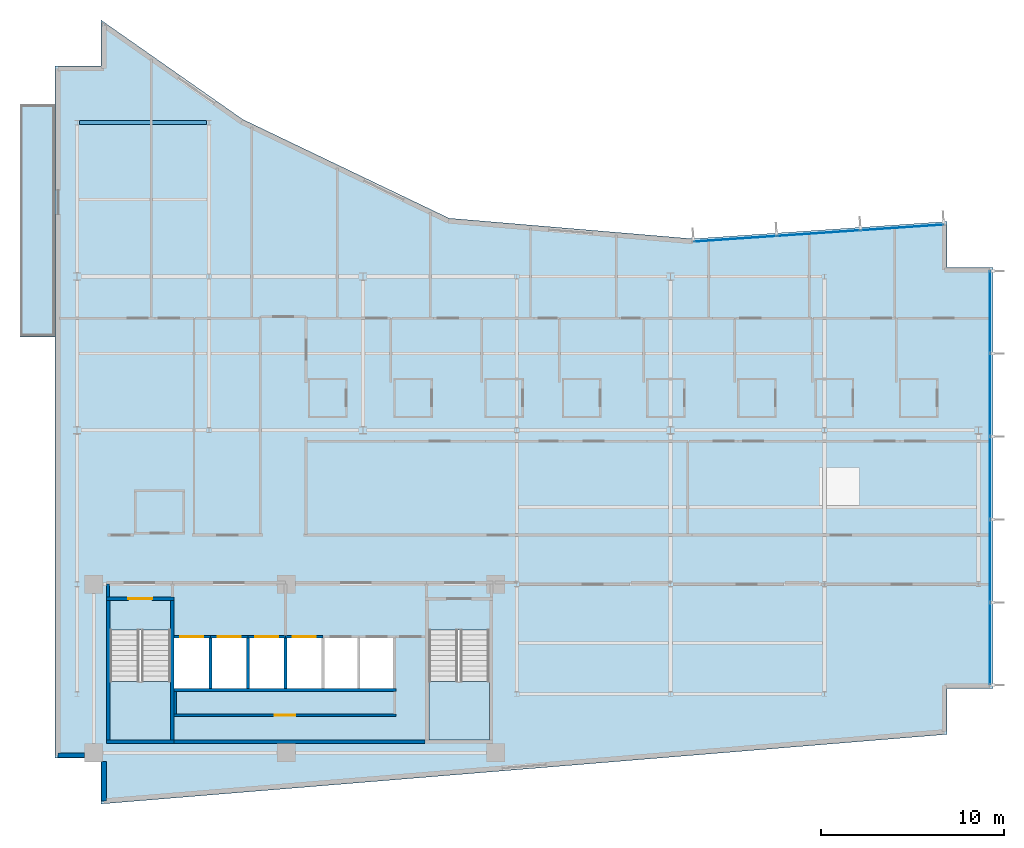
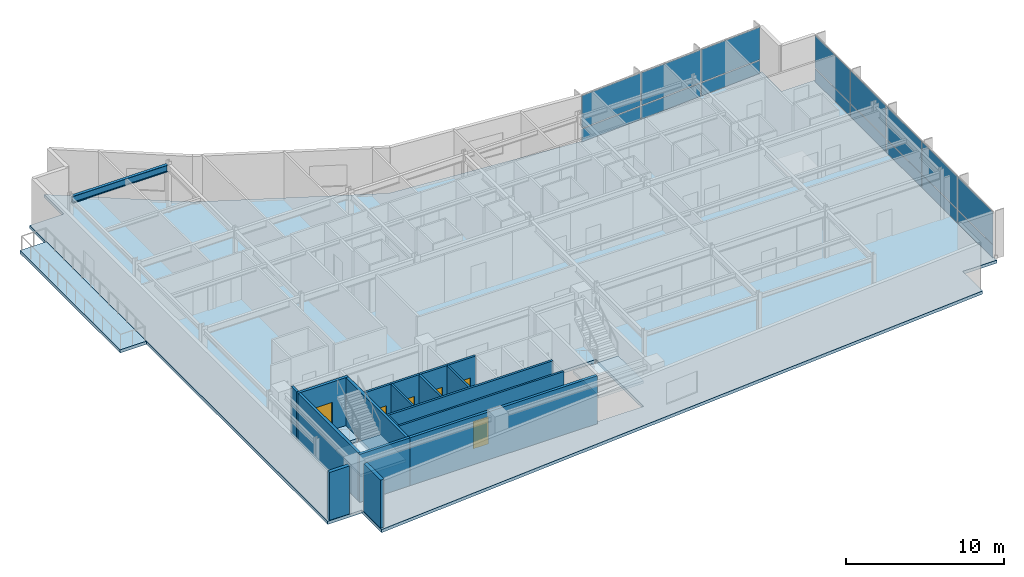
# One storey, part 9 of 16: 18 walls, 16 plates, 6 doors, 4 slabs, 1 beam, 6 openings, 4 elements without a shape of their own.
"""IFC4 building model written with IfcOpenShell, lengths in metres."""

import ifcopenshell
import ifcopenshell.guid

model = None  # the IFC model being written
_history = None  # IfcOwnerHistory: only IFC2X3 demands one
_inside = {}  # id of a spatial element -> (the spatial element, [elements in it])
_under = {}  # id of a project, library or spatial element -> (it, [spatial elements below it])
_declared = {}  # id of a project -> (the project, [libraries it declares])
_typed = {}  # id of a type object -> (the type object, [elements of that type])
_made_of = {}  # id of a material, layer set ... -> (it, [elements and type objects made of it])


def new_model(schema):
    """Start an empty IFC model of exactly this schema.

    Asked for "IFC4X3", IfcOpenShell would pick the latest addendum, in which some entities
    have other attributes; the version numbers below select the first issue.
    IFC2X3 requires an IfcOwnerHistory on every rooted entity: one is made here for all.
    """
    global model, _history
    if schema == "IFC4X3":
        model = ifcopenshell.file(schema_version=(4, 3, 0, 0))
    else:
        model = ifcopenshell.file(schema=schema)
    _inside.clear()
    _under.clear()
    _declared.clear()
    _typed.clear()
    _made_of.clear()
    _history = None
    if model.schema == "IFC2X3":
        org = make("IfcOrganization", Name="unknown")
        user = make(
            "IfcPersonAndOrganization",
            ThePerson=make("IfcPerson", FamilyName="unknown"),
            TheOrganization=org,
        )
        app = make(
            "IfcApplication",
            ApplicationDeveloper=org,
            Version="unknown",
            ApplicationFullName="unknown",
            ApplicationIdentifier="unknown",
        )
        _history = make(
            "IfcOwnerHistory",
            OwningUser=user,
            OwningApplication=app,
            ChangeAction="ADDED",
            CreationDate=0,
        )
    return model


def make(cls, **values):
    """One entity of the class cls with the attributes given. An attribute that is None is left unset."""
    return model.create_entity(
        cls, **{name: value for name, value in values.items() if value is not None}
    )


def rooted(cls, **values):
    """An entity with a GlobalId (a new one), such as an element, a storey or a relation."""
    return make(cls, GlobalId=ifcopenshell.guid.new(), OwnerHistory=_history, **values)


def si_unit(unit_type, name, prefix=None):
    """IfcSIUnit, for example si_unit("LENGTHUNIT", "METRE", prefix="MILLI")."""
    return make("IfcSIUnit", UnitType=unit_type, Prefix=prefix, Name=name)


def assignment(units):
    """IfcUnitAssignment: the units of a project."""
    return None if units is None else make("IfcUnitAssignment", Units=units)


def point(xyz):
    """IfcCartesianPoint."""
    return None if xyz is None else make("IfcCartesianPoint", Coordinates=xyz)


def direction(xyz):
    """IfcDirection."""
    return None if xyz is None else make("IfcDirection", DirectionRatios=xyz)


def frame(location, z_axis=None, x_axis=None):
    """IfcAxis2Placement3D, a coordinate frame: its origin and axes. An axis left out is left unset."""
    return make(
        "IfcAxis2Placement3D",
        Location=point(location),
        Axis=direction(z_axis),
        RefDirection=direction(x_axis),
    )


def frame_2d(location, x_axis=None):
    """IfcAxis2Placement2D, a coordinate frame in the plane: its origin and x axis."""
    return make(
        "IfcAxis2Placement2D", Location=point(location), RefDirection=direction(x_axis)
    )


def origin():
    """The frame at (0, 0, 0) with its axes left unset."""
    return frame((0.0, 0.0, 0.0))


def origin_2d():
    """The frame at (0, 0) in the plane with its x axis left unset."""
    return frame_2d((0.0, 0.0))


def place(relative_to, where):
    """IfcLocalPlacement: puts the frame where relative to a parent placement (None: the world)."""
    return make(
        "IfcLocalPlacement", PlacementRelTo=relative_to, RelativePlacement=where
    )


def context(
    kind, dimensions, precision=None, world=None, true_north=None, identifier=None
):
    """IfcGeometricRepresentationContext, for example the 3D "Model" context."""
    return make(
        "IfcGeometricRepresentationContext",
        ContextIdentifier=identifier,
        ContextType=kind,
        CoordinateSpaceDimension=dimensions,
        Precision=precision,
        WorldCoordinateSystem=world,
        TrueNorth=true_north,
    )


def subcontext(parent, identifier, kind, view, scale=None):
    """IfcGeometricRepresentationSubContext, for example "Body" below "Model"."""
    return make(
        "IfcGeometricRepresentationSubContext",
        ContextIdentifier=identifier,
        ContextType=kind,
        ParentContext=parent,
        TargetScale=scale,
        TargetView=view,
    )


def project(units=None, contexts=None):
    """IfcProject with its units and contexts."""
    return rooted(
        "IfcProject",
        Name="project",
        RepresentationContexts=contexts,
        UnitsInContext=assignment(units),
    )


def spatial(cls, under=None, at=None, **own):
    """A site, building, storey or space (cls), placed at a placement, below another one or the project."""
    s = rooted(cls, ObjectPlacement=at, **own)
    if under is not None:
        _under.setdefault(under.id(), (under, []))[1].append(s)
    return s


def polyline(points):
    """IfcPolyline through the points."""
    return make("IfcPolyline", Points=[point(p) for p in points])


def profile(cls, at=None, kind="AREA", **sizes):
    """A parametric profile (cls). Its sizes go by their IFC names, for example OverallWidth=200.0."""
    return make(cls, ProfileType=kind, Position=at, **sizes)


def rectangle(**sizes):
    """IfcRectangleProfileDef."""
    return profile("IfcRectangleProfileDef", **sizes)


def i_section(**sizes):
    """IfcIShapeProfileDef."""
    return profile("IfcIShapeProfileDef", **sizes)


def outline(outer, holes=None, kind="AREA"):
    """IfcArbitraryClosedProfileDef: a profile drawn as a closed curve; with holes, ...WithVoids."""
    if holes is None:
        return make("IfcArbitraryClosedProfileDef", ProfileType=kind, OuterCurve=outer)
    return make(
        "IfcArbitraryProfileDefWithVoids",
        ProfileType=kind,
        OuterCurve=outer,
        InnerCurves=holes,
    )


def extrude(swept, where, along, depth):
    """IfcExtrudedAreaSolid: the profile swept, set in the frame where, extruded along a direction by depth."""
    return make(
        "IfcExtrudedAreaSolid",
        SweptArea=swept,
        Position=where,
        ExtrudedDirection=direction(along),
        Depth=depth,
    )


def shape(context_of_items, identifier, shape_type, items):
    """IfcShapeRepresentation: the items that make up one representation, for example the "Body"."""
    return make(
        "IfcShapeRepresentation",
        ContextOfItems=context_of_items,
        RepresentationIdentifier=identifier,
        RepresentationType=shape_type,
        Items=items,
    )


def material(Name=None, Category=None):
    """IfcMaterial."""
    return make("IfcMaterial", Name=Name, Category=Category)


def layer(
    of_material, thickness, ventilated=None, Name=None, Category=None, Priority=None
):
    """IfcMaterialLayer: one layer of a wall or slab, of a material (None: an air gap)."""
    return make(
        "IfcMaterialLayer",
        Material=of_material,
        LayerThickness=thickness,
        IsVentilated=ventilated,
        Name=Name,
        Category=Category,
        Priority=Priority,
    )


def layer_set(layers, Name=None):
    """IfcMaterialLayerSet."""
    return make("IfcMaterialLayerSet", MaterialLayers=layers, LayerSetName=Name)


def material_profile(
    of_material, cross_section, Name=None, Category=None, Priority=None
):
    """IfcMaterialProfile: a cross section and its material."""
    return make(
        "IfcMaterialProfile",
        Name=Name,
        Material=of_material,
        Profile=cross_section,
        Priority=Priority,
        Category=Category,
    )


def profile_set(profiles, Name=None, composite=None):
    """IfcMaterialProfileSet."""
    return make(
        "IfcMaterialProfileSet",
        Name=Name,
        MaterialProfiles=profiles,
        CompositeProfile=composite,
    )


def made_of(thing, what):
    """Note that an element or type object is made of a material, layer set ...; save() writes the relation."""
    if what is not None:
        _made_of.setdefault(what.id(), (what, []))[1].append(thing)
    return thing


def type_object(cls, material=None, **own):
    """A type object (cls), such as IfcWallType, which elements share."""
    return made_of(rooted(cls, **own), material)


def element(
    cls,
    number,
    at=None,
    inside=None,
    cuts=None,
    type_object=None,
    material=None,
    context=None,
    identifier="Body",
    shape_type=None,
    held_by="IfcProductDefinitionShape",
    body=None,
    shapes=None,
    **own,
):
    """One element of the class cls, such as IfcWall. Its Tag is "e" and its number.

    at: its placement. inside: the storey or other place that contains it. cuts: it is an
    opening in that element (IfcRelVoidsElement). A single representation is given by context,
    identifier, shape_type and body (its items); several are given by shapes. held_by: the class
    of the entity that holds the representations. save() writes the other relations.
    """
    e = rooted(cls, Tag="e%d" % number, ObjectPlacement=at, **own)
    if body is not None:
        shapes = [shape(context, identifier, shape_type, body)]
    if shapes is not None:
        e.Representation = make(held_by, Representations=shapes)
    if inside is not None:
        _inside.setdefault(inside.id(), (inside, []))[1].append(e)
    if cuts is not None:
        rooted(
            "IfcRelVoidsElement", RelatingBuildingElement=cuts, RelatedOpeningElement=e
        )
    if type_object is not None:
        _typed.setdefault(type_object.id(), (type_object, []))[1].append(e)
    return made_of(e, material)


def fill(opening, filler):
    """IfcRelFillsElement: the door or window that sits in an opening."""
    return rooted(
        "IfcRelFillsElement",
        RelatingOpeningElement=opening,
        RelatedBuildingElement=filler,
    )


def aggregate(whole, parts):
    """IfcRelAggregates: a whole, such as a stair, and the parts it consists of."""
    return rooted("IfcRelAggregates", RelatingObject=whole, RelatedObjects=parts)


def save(model, path):
    """Write the relations noted so far, then the file.

    IfcRelAggregates (storeys below a building ...), IfcRelContainedInSpatialStructure (elements
    in a storey), IfcRelDefinesByType, IfcRelAssociatesMaterial and IfcRelDeclares: one each for
    every whole, place, type object, material and project.
    """
    for whole, parts in _under.values():
        aggregate(whole, parts)
    for where, things in _inside.values():
        rooted(
            "IfcRelContainedInSpatialStructure",
            RelatedElements=things,
            RelatingStructure=where,
        )
    for kind, things in _typed.values():
        rooted("IfcRelDefinesByType", RelatedObjects=things, RelatingType=kind)
    for what, things in _made_of.values():
        rooted("IfcRelAssociatesMaterial", RelatedObjects=things, RelatingMaterial=what)
    for by, libraries in _declared.values():
        rooted("IfcRelDeclares", RelatingContext=by, RelatedDefinitions=libraries)
    model.write(path)


model = new_model("IFC4")

# Units and contexts
model_context = context("Model", 3, precision=1e-05, world=origin(), true_north=direction((0.0, 1.0)))
body_context = subcontext(model_context, "Body", "Model", "MODEL_VIEW")
ifc_project = project(units=[si_unit("LENGTHUNIT", "METRE"), si_unit("AREAUNIT", "SQUARE_METRE"), si_unit("VOLUMEUNIT", "CUBIC_METRE"), si_unit("PLANEANGLEUNIT", "RADIAN"), si_unit("MASSUNIT", "GRAM", prefix="KILO")], contexts=[model_context])

# Site, building, storey
site_placement = place(None, origin())
site = spatial("IfcSite", under=ifc_project, at=site_placement, CompositionType="ELEMENT")
building_placement = place(site_placement, origin())
building = spatial("IfcBuilding", under=site, at=building_placement, Name="Varnakote Quay Hospital", CompositionType="ELEMENT")
storey_placement = place(building_placement, frame((0.0, 0.0, 223.699951171875)))
storey = spatial("IfcBuildingStorey", under=building, at=storey_placement, Name="L55", CompositionType="ELEMENT", Elevation=223.699951171875)

# Beam
ifc_material_1 = material(Name="Structural steel AS/NZS 3679.1 Grade 350 L0 (fy 340 MPa)", Category="steel")
ifc_material_profile = material_profile(ifc_material_1, i_section(OverallWidth=0.208984375, OverallDepth=0.532958984375, WebThickness=0.01025390625, FlangeThickness=0.015625, FilletRadius=0.013916015625, at=origin_2d()), Name="530UB92.4")
ifc_profile_set = profile_set([ifc_material_profile], Name="Structural steel AS/NZS 3679.1 Grade 350 L0 (fy 340 MPa)")
beam_type = type_object("IfcBeamType", Name="BM-STL-530UB92-4", PredefinedType="BEAM", material=ifc_profile_set)
beam_placement = place(storey_placement, frame((1.327880859375, 37.199951171875, 3.443603515625), z_axis=(1.0, 0.0, 0.0), x_axis=(0.0, 1.0, 0.0)))
element("IfcBeam", 1, at=beam_placement, inside=storey, type_object=beam_type, Name="L55 Primary Floor Beam", PredefinedType="BEAM", context=body_context, shape_type="SweptSolid", body=[
    extrude(i_section(OverallWidth=0.208984375, OverallDepth=0.532958984375, WebThickness=0.01025390625, FlangeThickness=0.015625, FilletRadius=0.013916015625, at=origin_2d()), origin(), (0.0, 0.0, 1.0), 6.944091796875),
])

# Curtain wall, plates
ifc_material_2 = material(Name="Anodised aluminium 6063-T6 Bronze", Category="aluminium")
ifc_layer_1 = layer(ifc_material_2, 0.219970703125)
ifc_layer_set_1 = layer_set([ifc_layer_1], Name="Anodised aluminium 6063-T6 Bronze")
curtain_wall_type = type_object("IfcCurtainWallType", Name="CW-SYS-4", PredefinedType="NOTDEFINED", material=ifc_layer_set_1)
curtain_wall_1_placement = place(storey_placement, origin())
curtain_wall_1 = element("IfcCurtainWall", 2, at=curtain_wall_1_placement, inside=storey, type_object=curtain_wall_type, Name="L55 Unitised Bronze Curtain Wall 1", PredefinedType="NOTDEFINED")
ifc_material_3 = material(Name="Double-glazed low-E solar glass", Category="glass")
ifc_layer_2 = layer(ifc_material_3, 0.028076171875)
ifc_layer_set_2 = layer_set([ifc_layer_2], Name="Double-glazed low-E solar glass")
plate_type = type_object("IfcPlateType", Name="CW-PNL-GLZ-28", PredefinedType="CURTAIN_PANEL", material=ifc_layer_set_2)
plate_1_placement = place(storey_placement, frame((51.0400390625, 8.744140625, 0.065185546875), z_axis=(0.0, 0.0, 1.0), x_axis=(0.0, 1.0, 0.0)))
plate_1 = element("IfcPlate", 3, at=plate_1_placement, type_object=plate_type, Name="-4-L55-1 panel 1.1", PredefinedType="CURTAIN_PANEL", context=body_context, shape_type="SweptSolid", body=[
    extrude(rectangle(XDim=4.4384765625, YDim=0.028076171875, at=origin_2d()), origin(), (0.0, 0.0, 1.0), 1.00244140625),
])
plate_2_placement = place(storey_placement, frame((51.0400390625, 8.744140625, 1.1328125), z_axis=(0.0, 0.0, 1.0), x_axis=(0.0, 1.0, 0.0)))
plate_2 = element("IfcPlate", 4, at=plate_2_placement, type_object=plate_type, Name="-4-L55-1 panel 1.2", PredefinedType="CURTAIN_PANEL", context=body_context, shape_type="SweptSolid", body=[
    extrude(rectangle(XDim=4.4384765625, YDim=0.028076171875, at=origin_2d()), origin(), (0.0, 0.0, 1.0), 2.512451171875),
])
plate_3_placement = place(storey_placement, frame((51.0400390625, 13.263916015625, 0.065185546875), z_axis=(0.0, 0.0, 1.0), x_axis=(0.0, 1.0, 0.0)))
plate_3 = element("IfcPlate", 5, at=plate_3_placement, type_object=plate_type, Name="-4-L55-1 panel 2.1", PredefinedType="CURTAIN_PANEL", context=body_context, shape_type="SweptSolid", body=[
    extrude(rectangle(XDim=4.470947265625, YDim=0.028076171875, at=origin_2d()), origin(), (0.0, 0.0, 1.0), 1.00244140625),
])
plate_4_placement = place(storey_placement, frame((51.0400390625, 13.263916015625, 1.1328125), z_axis=(0.0, 0.0, 1.0), x_axis=(0.0, 1.0, 0.0)))
plate_4 = element("IfcPlate", 6, at=plate_4_placement, type_object=plate_type, Name="-4-L55-1 panel 2.2", PredefinedType="CURTAIN_PANEL", context=body_context, shape_type="SweptSolid", body=[
    extrude(rectangle(XDim=4.470947265625, YDim=0.028076171875, at=origin_2d()), origin(), (0.0, 0.0, 1.0), 2.512451171875),
])
plate_5_placement = place(storey_placement, frame((51.0400390625, 17.800048828125, 0.065185546875), z_axis=(0.0, 0.0, 1.0), x_axis=(0.0, 1.0, 0.0)))
plate_5 = element("IfcPlate", 7, at=plate_5_placement, type_object=plate_type, Name="-4-L55-1 panel 3.1", PredefinedType="CURTAIN_PANEL", context=body_context, shape_type="SweptSolid", body=[
    extrude(rectangle(XDim=4.470947265625, YDim=0.028076171875, at=origin_2d()), origin(), (0.0, 0.0, 1.0), 1.00244140625),
])
plate_6_placement = place(storey_placement, frame((51.0400390625, 17.800048828125, 1.1328125), z_axis=(0.0, 0.0, 1.0), x_axis=(0.0, 1.0, 0.0)))
plate_6 = element("IfcPlate", 8, at=plate_6_placement, type_object=plate_type, Name="-4-L55-1 panel 3.2", PredefinedType="CURTAIN_PANEL", context=body_context, shape_type="SweptSolid", body=[
    extrude(rectangle(XDim=4.470947265625, YDim=0.028076171875, at=origin_2d()), origin(), (0.0, 0.0, 1.0), 2.512451171875),
])
plate_7_placement = place(storey_placement, frame((51.0400390625, 22.3359375, 0.065185546875), z_axis=(0.0, 0.0, 1.0), x_axis=(0.0, 1.0, 0.0)))
plate_7 = element("IfcPlate", 9, at=plate_7_placement, type_object=plate_type, Name="-4-L55-1 panel 4.1", PredefinedType="CURTAIN_PANEL", context=body_context, shape_type="SweptSolid", body=[
    extrude(rectangle(XDim=4.470947265625, YDim=0.028076171875, at=origin_2d()), origin(), (0.0, 0.0, 1.0), 1.00244140625),
])
plate_8_placement = place(storey_placement, frame((51.0400390625, 22.3359375, 1.1328125), z_axis=(0.0, 0.0, 1.0), x_axis=(0.0, 1.0, 0.0)))
plate_8 = element("IfcPlate", 10, at=plate_8_placement, type_object=plate_type, Name="-4-L55-1 panel 4.2", PredefinedType="CURTAIN_PANEL", context=body_context, shape_type="SweptSolid", body=[
    extrude(rectangle(XDim=4.470947265625, YDim=0.028076171875, at=origin_2d()), origin(), (0.0, 0.0, 1.0), 2.512451171875),
])
plate_9_placement = place(storey_placement, frame((51.0400390625, 26.855712890625, 0.065185546875), z_axis=(0.0, 0.0, 1.0), x_axis=(0.0, 1.0, 0.0)))
plate_9 = element("IfcPlate", 11, at=plate_9_placement, type_object=plate_type, Name="-4-L55-1 panel 5.1", PredefinedType="CURTAIN_PANEL", context=body_context, shape_type="SweptSolid", body=[
    extrude(rectangle(XDim=4.4384765625, YDim=0.028076171875, at=origin_2d()), origin(), (0.0, 0.0, 1.0), 1.00244140625),
])
plate_10_placement = place(storey_placement, frame((51.0400390625, 26.855712890625, 1.1328125), z_axis=(0.0, 0.0, 1.0), x_axis=(0.0, 1.0, 0.0)))
plate_10 = element("IfcPlate", 12, at=plate_10_placement, type_object=plate_type, Name="-4-L55-1 panel 5.2", PredefinedType="CURTAIN_PANEL", context=body_context, shape_type="SweptSolid", body=[
    extrude(rectangle(XDim=4.4384765625, YDim=0.028076171875, at=origin_2d()), origin(), (0.0, 0.0, 1.0), 2.512451171875),
])
aggregate(curtain_wall_1, [plate_1, plate_2, plate_3, plate_4, plate_5, plate_6, plate_7, plate_8, plate_9, plate_10])

curtain_wall_2_placement = place(storey_placement, origin())
curtain_wall_2 = element("IfcCurtainWall", 13, at=curtain_wall_2_placement, inside=storey, type_object=curtain_wall_type, Name="L55 Unitised Bronze Curtain Wall 2", PredefinedType="NOTDEFINED")
plate_11_placement = place(storey_placement, frame((46.236328125, 31.47216796875, 0.065185546875), z_axis=(0.0, 0.0, 1.0), x_axis=(-0.997696087615, -0.067841851077, 0.0)))
plate_11 = element("IfcPlate", 14, at=plate_11_placement, type_object=plate_type, Name="-4-L55-2 panel 1.1", PredefinedType="CURTAIN_PANEL", context=body_context, shape_type="SweptSolid", body=[
    extrude(rectangle(XDim=4.48828125, YDim=0.028076171875, at=origin_2d()), origin(), (0.0, 0.0, 1.0), 1.00244140625),
])
plate_12_placement = place(storey_placement, frame((46.236328125, 31.47216796875, 1.1328125), z_axis=(0.0, 0.0, 1.0), x_axis=(-0.997696087615, -0.067841851077, 0.0)))
plate_12 = element("IfcPlate", 15, at=plate_12_placement, type_object=plate_type, Name="-4-L55-2 panel 1.2", PredefinedType="CURTAIN_PANEL", context=body_context, shape_type="SweptSolid", body=[
    extrude(rectangle(XDim=4.48828125, YDim=0.028076171875, at=origin_2d()), origin(), (0.0, 0.0, 1.0), 2.512451171875),
])
plate_13_placement = place(storey_placement, frame((41.67724609375, 31.162109375, 0.065185546875), z_axis=(0.0, 0.0, 1.0), x_axis=(-0.997696087615, -0.067841851077, 0.0)))
plate_13 = element("IfcPlate", 16, at=plate_13_placement, type_object=plate_type, Name="-4-L55-2 panel 2.1", PredefinedType="CURTAIN_PANEL", context=body_context, shape_type="SweptSolid", body=[
    extrude(rectangle(XDim=4.520751953125, YDim=0.028076171875, at=origin_2d()), origin(), (0.0, 0.0, 1.0), 1.00244140625),
])
plate_14_placement = place(storey_placement, frame((41.67724609375, 31.162109375, 1.1328125), z_axis=(0.0, 0.0, 1.0), x_axis=(-0.997696087615, -0.067841851077, 0.0)))
plate_14 = element("IfcPlate", 17, at=plate_14_placement, type_object=plate_type, Name="-4-L55-2 panel 2.2", PredefinedType="CURTAIN_PANEL", context=body_context, shape_type="SweptSolid", body=[
    extrude(rectangle(XDim=4.520751953125, YDim=0.028076171875, at=origin_2d()), origin(), (0.0, 0.0, 1.0), 2.512451171875),
])
plate_15_placement = place(storey_placement, frame((37.118408203125, 30.85205078125, 0.065185546875), z_axis=(0.0, 0.0, 1.0), x_axis=(-0.997696087615, -0.067841851077, 0.0)))
plate_15 = element("IfcPlate", 18, at=plate_15_placement, type_object=plate_type, Name="-4-L55-2 panel 3.1", PredefinedType="CURTAIN_PANEL", context=body_context, shape_type="SweptSolid", body=[
    extrude(rectangle(XDim=4.48828125, YDim=0.028076171875, at=origin_2d()), origin(), (0.0, 0.0, 1.0), 1.00244140625),
])
plate_16_placement = place(storey_placement, frame((37.118408203125, 30.85205078125, 1.1328125), z_axis=(0.0, 0.0, 1.0), x_axis=(-0.997696087615, -0.067841851077, 0.0)))
plate_16 = element("IfcPlate", 19, at=plate_16_placement, type_object=plate_type, Name="-4-L55-2 panel 3.2", PredefinedType="CURTAIN_PANEL", context=body_context, shape_type="SweptSolid", body=[
    extrude(rectangle(XDim=4.48828125, YDim=0.028076171875, at=origin_2d()), origin(), (0.0, 0.0, 1.0), 2.512451171875),
])
aggregate(curtain_wall_2, [plate_11, plate_12, plate_13, plate_14, plate_15, plate_16])

# Stair, slab
ifc_material_4 = material(Name="Concrete N40 (f'c 40 MPa)", Category="concrete")
stair_type = type_object("IfcStairType", Name="STR-CORE-1580", PredefinedType="HALF_TURN_STAIR", material=ifc_material_4)
stair_1_placement = place(storey_placement, origin())
stair_1 = element("IfcStair", 20, at=stair_1_placement, inside=storey, type_object=stair_type, Name="L55 Fire-Isolated Exit Stair ST-01", PredefinedType="HALF_TURN_STAIR")
ifc_material_5 = material(Name="Concrete N40 (f'c 40 MPa)", Category="concrete")
ifc_layer_3 = layer(ifc_material_5, 0.199951171875)
ifc_layer_set_3 = layer_set([ifc_layer_3], Name="Concrete N40 (f'c 40 MPa)")
slab_type_1 = type_object("IfcSlabType", Name="SLB-STAIR-LND-200", PredefinedType="LANDING", material=ifc_layer_set_3)
slab_1_placement = place(storey_placement, frame((0.0, 0.0, 1.775146484375)))
slab_1 = element("IfcSlab", 21, at=slab_1_placement, type_object=slab_type_1, Name="ST-01 landing 1", PredefinedType="LANDING", context=body_context, shape_type="SweptSolid", body=[
    extrude(outline(polyline([(3.0, 6.699951171875), (3.0, 3.5), (6.300048828125, 3.5), (6.300048828125, 6.699951171875), (3.0, 6.699951171875)])), origin(), (0.0, 0.0, 1.0), 0.199951171875),
])
aggregate(stair_1, [slab_1])

stair_2_placement = place(storey_placement, origin())
stair_2 = element("IfcStair", 22, at=stair_2_placement, inside=storey, type_object=stair_type, Name="L55 Fire-Isolated Exit Stair ST-02", PredefinedType="HALF_TURN_STAIR")
slab_2_placement = place(storey_placement, frame((0.0, 0.0, 1.775146484375)))
slab_2 = element("IfcSlab", 23, at=slab_2_placement, type_object=slab_type_1, Name="ST-02 landing 1", PredefinedType="LANDING", context=body_context, shape_type="SweptSolid", body=[
    extrude(outline(polyline([(20.39990234375, 6.699951171875), (20.39990234375, 3.5), (23.699951171875, 3.5), (23.699951171875, 6.699951171875), (20.39990234375, 6.699951171875)])), origin(), (0.0, 0.0, 1.0), 0.199951171875),
])
aggregate(stair_2, [slab_2])

# Slabs
ifc_material_6 = material(Name="Concrete N50 (f'c 50 MPa)", Category="concrete")
ifc_layer_4 = layer(ifc_material_6, 0.239990234375)
ifc_layer_set_4 = layer_set([ifc_layer_4], Name="Concrete N50 (f'c 50 MPa)")
slab_type_2 = type_object("IfcSlabType", Name="SLB-TERR-200", PredefinedType="FLOOR", material=ifc_layer_set_4)
slab_3_placement = place(storey_placement, frame((0.0, 0.0, -0.239990234375)))
element("IfcSlab", 24, at=slab_3_placement, inside=storey, type_object=slab_type_2, Name="L55 Waterfront Healing Terrace Slab", PredefinedType="FLOOR", context=body_context, shape_type="SweptSolid", body=[
    extrude(outline(polyline([(0.00390625, 25.5), (0.00390625, 38.199951171875), (-1.919921875, 38.199951171875), (-1.919921875, 25.5), (0.00390625, 25.5)])), origin(), (0.0, 0.0, 1.0), 0.239990234375),
])
ifc_material_7 = material(Name="Concrete N50 (f'c 50 MPa)", Category="concrete")
ifc_layer_5 = layer(ifc_material_7, 0.239990234375)
ifc_layer_set_5 = layer_set([ifc_layer_5], Name="Concrete N50 (f'c 50 MPa)")
slab_type_3 = type_object("IfcSlabType", Name="SLB-WARD-200", PredefinedType="FLOOR", material=ifc_layer_set_5)
slab_4_placement = place(storey_placement, frame((0.0, 0.0, -0.239990234375)))
element("IfcSlab", 25, at=slab_4_placement, inside=storey, type_object=slab_type_3, Name="L55 Primary Floor Slab", PredefinedType="FLOOR", context=body_context, shape_type="SweptSolid", body=[
    extrude(outline(polyline([(0.0, 2.5), (2.5, 2.5), (2.5, 0.0), (48.699951171875, 3.800048828125), (48.699951171875, 6.300048828125), (51.199951171875, 6.300048828125), (51.199951171875, 29.300048828125), (48.699951171875, 29.300048828125), (48.699951171875, 31.800048828125), (34.81591796875, 30.85595703125), (21.50390625, 31.97998046875), (10.239990234375, 37.3759765625), (2.5, 42.800048828125), (2.5, 40.300048828125), (0.0, 40.300048828125), (0.0, 2.5)]), holes=[polyline([(3.0, 3.5), (6.300048828125, 3.5), (6.300048828125, 9.49951171875), (3.0, 9.49951171875), (3.0, 3.5)]), polyline([(20.39990234375, 3.5), (23.699951171875, 3.5), (23.699951171875, 9.49951171875), (20.39990234375, 9.49951171875), (20.39990234375, 3.5)]), polyline([(6.5, 6.300048828125), (8.39990234375, 6.300048828125), (8.39990234375, 9.050048828125), (6.5, 9.050048828125), (6.5, 6.300048828125)]), polyline([(8.550048828125, 6.300048828125), (10.449951171875, 6.300048828125), (10.449951171875, 9.050048828125), (8.550048828125, 9.050048828125), (8.550048828125, 6.300048828125)]), polyline([(10.60009765625, 6.300048828125), (12.5, 6.300048828125), (12.5, 9.050048828125), (10.60009765625, 9.050048828125), (10.60009765625, 6.300048828125)]), polyline([(12.64990234375, 6.300048828125), (14.550048828125, 6.300048828125), (14.550048828125, 9.050048828125), (12.64990234375, 9.050048828125), (12.64990234375, 6.300048828125)]), polyline([(14.699951171875, 6.300048828125), (16.5, 6.300048828125), (16.5, 9.050048828125), (14.699951171875, 9.050048828125), (14.699951171875, 6.300048828125)]), polyline([(16.64990234375, 6.300048828125), (18.449951171875, 6.300048828125), (18.449951171875, 9.050048828125), (16.64990234375, 9.050048828125), (16.64990234375, 6.300048828125)])]), origin(), (0.0, 0.0, 1.0), 0.239990234375),
])

# Walls
ifc_material_8 = material(Name="Fire-rated acoustic gypsum stud wall", Category="gypsum")
ifc_layer_6 = layer(ifc_material_8, 0.159912109375)
ifc_layer_set_6 = layer_set([ifc_layer_6], Name="Fire-rated acoustic gypsum stud wall")
wall_type_1 = type_object("IfcWallType", Name="WL-COMP-160", PredefinedType="PARTITIONING", material=ifc_layer_set_6)
wall_1_placement = place(storey_placement, frame((2.8798828125, 11.300048828125, 0.0), z_axis=(0.0, 0.0, 1.0), x_axis=(0.0, 1.0, 0.0)))
element("IfcWall", 26, at=wall_1_placement, inside=storey, type_object=wall_type_1, Name="L55 West Stair Vestibule West Wall", PredefinedType="PARTITIONING", context=body_context, shape_type="SweptSolid", body=[
    extrude(rectangle(XDim=0.699951171875, YDim=0.159912109375, at=frame_2d((0.35009765625, 0.0))), origin(), (0.0, 0.0, 1.0), 3.7099609375),
])
ifc_material_9 = material(Name="Concrete N50 (f'c 50 MPa)", Category="concrete")
ifc_layer_7 = layer(ifc_material_9, 0.199951171875)
ifc_layer_set_7 = layer_set([ifc_layer_7], Name="Concrete N50 (f'c 50 MPa)")
wall_type_2 = type_object("IfcWallType", Name="WL-CORE-N50-200", PredefinedType="SHEAR", material=ifc_layer_set_7)
wall_2_placement = place(storey_placement, frame((6.5, 3.39990234375, 0.0), z_axis=(0.0, 0.0, 1.0), x_axis=(1.0, 0.0, 0.0)))
element("IfcWall", 27, at=wall_2_placement, inside=storey, type_object=wall_type_2, Name="L55 Rear Core South Shear Wall", PredefinedType="SHEAR", context=body_context, shape_type="SweptSolid", body=[
    extrude(rectangle(XDim=13.699951171875, YDim=0.199951171875, at=frame_2d((6.85009765625, 0.0))), origin(), (0.0, 0.0, 1.0), 3.7099609375),
])
ifc_material_10 = material(Name="Precast concrete N50 (f'c 50 MPa)", Category="concrete")
ifc_layer_8 = layer(ifc_material_10, 0.260009765625)
ifc_layer_set_8 = layer_set([ifc_layer_8], Name="Precast concrete N50 (f'c 50 MPa)")
wall_type_3 = type_object("IfcWallType", Name="WL-EXT-BRICK-260", PredefinedType="STANDARD", material=ifc_layer_set_8)
wall_3_placement = place(storey_placement, frame((2.659912109375, 2.31494140625, 0.0), z_axis=(0.0, 0.0, 1.0), x_axis=(0.0, -1.0, 0.0)))
element("IfcWall", 28, at=wall_3_placement, inside=storey, type_object=wall_type_3, Name="L55 Brick-Faced Precast Exterior Wall", PredefinedType="STANDARD", context=body_context, shape_type="SweptSolid", body=[
    extrude(rectangle(XDim=2.141357421875, YDim=0.260009765625, at=frame_2d((1.07080078125, 0.0))), origin(), (0.0, 0.0, 1.0), 3.7099609375),
])
wall_4_placement = place(storey_placement, frame((0.159912109375, 2.659912109375, 0.0), z_axis=(0.0, 0.0, 1.0), x_axis=(1.0, 0.0, 0.0)))
element("IfcWall", 29, at=wall_4_placement, inside=storey, type_object=wall_type_3, Name="L55 Brick-Faced Precast Exterior Wall", PredefinedType="STANDARD", context=body_context, shape_type="SweptSolid", body=[
    extrude(rectangle(XDim=1.455078125, YDim=0.260009765625, at=frame_2d((0.7275390625, 0.0))), origin(), (0.0, 0.0, 1.0), 3.7099609375),
])
ifc_material_11 = material(Name="Concrete N50 (f'c 50 MPa)", Category="concrete")
ifc_layer_9 = layer(ifc_material_11, 0.14990234375)
ifc_layer_set_9 = layer_set([ifc_layer_9], Name="Concrete N50 (f'c 50 MPa)")
wall_type_4 = type_object("IfcWallType", Name="WL-SHAFT-N50-150", PredefinedType="SHEAR", material=ifc_layer_set_9)
for number, where, z_axis, x_axis, name in (
    (30, (8.47509765625, 6.300048828125, 0.0), (0.0, 0.0, 1.0), (0.0, 1.0, 0.0), "L55 LF-FF1 Hoistway Divider Wall"),
    (31, (10.52490234375, 6.300048828125, 0.0), (0.0, 0.0, 1.0), (0.0, 1.0, 0.0), "L55 LF-FF2 Hoistway Divider Wall"),
    (32, (12.574951171875, 6.300048828125, 0.0), (0.0, 0.0, 1.0), (0.0, 1.0, 0.0), "L55 LF-SV1 Hoistway Divider Wall"),
):
    element("IfcWall", number, at=place(storey_placement, frame(where, z_axis=z_axis, x_axis=x_axis)), inside=storey, type_object=wall_type_4, Name=name, PredefinedType="SHEAR", context=body_context, shape_type="SweptSolid", body=[
        extrude(rectangle(XDim=2.75, YDim=0.14990234375, at=frame_2d((1.375, 0.0))), origin(), (0.0, 0.0, 1.0), 3.7099609375),
    ])
ifc_material_12 = material(Name="Concrete N50 (f'c 50 MPa)", Category="concrete")
ifc_layer_10 = layer(ifc_material_12, 0.159912109375)
ifc_layer_set_10 = layer_set([ifc_layer_10], Name="Concrete N50 (f'c 50 MPa)")
wall_type_5 = type_object("IfcWallType", Name="WL-SHAFT-N50-160", PredefinedType="SHEAR", material=ifc_layer_set_10)
wall_5_placement = place(storey_placement, frame((6.5, 6.219970703125, 0.0), z_axis=(0.0, 0.0, 1.0), x_axis=(1.0, 0.0, 0.0)))
element("IfcWall", 33, at=wall_5_placement, inside=storey, type_object=wall_type_5, Name="L55 REAR Lift Bank Back Shear Wall", PredefinedType="SHEAR", context=body_context, shape_type="SweptSolid", body=[
    extrude(rectangle(XDim=12.110107421875, YDim=0.159912109375, at=frame_2d((6.05517578125, 0.0))), origin(), (0.0, 0.0, 1.0), 3.7099609375),
])

# Wall, opening, door
wall_6_placement = place(storey_placement, frame((6.5, 9.1298828125, 0.0), z_axis=(0.0, 0.0, 1.0), x_axis=(1.0, 0.0, 0.0)))
wall_6 = element("IfcWall", 34, at=wall_6_placement, inside=storey, type_object=wall_type_5, Name="L55 LF-FF1 Hoistway Front Wall", PredefinedType="SHEAR", context=body_context, shape_type="SweptSolid", body=[
    extrude(rectangle(XDim=1.97509765625, YDim=0.159912109375, at=frame_2d((0.987548828125, 0.0))), origin(), (0.0, 0.0, 1.0), 3.7099609375),
])
opening_1_placement = place(wall_6_placement, frame((0.324951171875, 0.0, 0.0)))
opening_1 = element("IfcOpeningElement", 35, at=opening_1_placement, cuts=wall_6, Name="Opening LD-FF1-L55", PredefinedType="OPENING", context=body_context, shape_type="SweptSolid", body=[
    extrude(rectangle(XDim=1.25, YDim=2.14990234375, at=frame_2d((0.625, 1.074951171875))), frame((0.0, 0.08984375, 0.0), z_axis=(0.0, -1.0, 0.0), x_axis=(1.0, 0.0, 0.0)), (0.0, 0.0, 1.0), 0.179931640625),
])
ifc_material_13 = material(Name="Stainless steel lift landing sliding door", Category="steel")
door_type_1 = type_object("IfcDoorType", Name="DR-LIFT-LD-1250x2150", OperationType="NOTDEFINED", PredefinedType="DOOR", material=ifc_material_13)
door_1_placement = place(opening_1_placement, origin())
door_1 = element("IfcDoor", 36, at=door_1_placement, inside=storey, type_object=door_type_1, Name="L55 LF-FF1 Lift Landing Sliding Door", OperationType="SLIDING_TO_LEFT", OverallHeight=2.14990234375, OverallWidth=1.25, PredefinedType="DOOR", context=body_context, shape_type="SweptSolid", body=[
    extrude(rectangle(XDim=1.25, YDim=2.14990234375, at=frame_2d((0.625, 1.074951171875))), frame((0.0, 0.02490234375, 0.0), z_axis=(0.0, -1.0, 0.0), x_axis=(1.0, 0.0, 0.0)), (0.0, 0.0, 1.0), 0.050048828125),
])
fill(opening_1, door_1)

wall_7_placement = place(storey_placement, frame((8.47509765625, 9.1298828125, 0.0), z_axis=(0.0, 0.0, 1.0), x_axis=(1.0, 0.0, 0.0)))
wall_7 = element("IfcWall", 37, at=wall_7_placement, inside=storey, type_object=wall_type_5, Name="L55 LF-FF2 Hoistway Front Wall", PredefinedType="SHEAR", context=body_context, shape_type="SweptSolid", body=[
    extrude(rectangle(XDim=2.0498046875, YDim=0.159912109375, at=frame_2d((1.02490234375, 0.0))), origin(), (0.0, 0.0, 1.0), 3.7099609375),
])
opening_2_placement = place(wall_7_placement, frame((0.39990234375, 0.0, 0.0)))
opening_2 = element("IfcOpeningElement", 38, at=opening_2_placement, cuts=wall_7, Name="Opening LD-FF2-L55", PredefinedType="OPENING", context=body_context, shape_type="SweptSolid", body=[
    extrude(rectangle(XDim=1.25, YDim=2.14990234375, at=frame_2d((0.625, 1.074951171875))), frame((0.0, 0.08984375, 0.0), z_axis=(0.0, -1.0, 0.0), x_axis=(1.0, 0.0, 0.0)), (0.0, 0.0, 1.0), 0.179931640625),
])
door_2_placement = place(opening_2_placement, origin())
door_2 = element("IfcDoor", 39, at=door_2_placement, inside=storey, type_object=door_type_1, Name="L55 LF-FF2 Lift Landing Sliding Door", OperationType="SLIDING_TO_LEFT", OverallHeight=2.14990234375, OverallWidth=1.25, PredefinedType="DOOR", context=body_context, shape_type="SweptSolid", body=[
    extrude(rectangle(XDim=1.25, YDim=2.14990234375, at=frame_2d((0.625, 1.074951171875))), frame((0.0, 0.02490234375, 0.0), z_axis=(0.0, -1.0, 0.0), x_axis=(1.0, 0.0, 0.0)), (0.0, 0.0, 1.0), 0.050048828125),
])
fill(opening_2, door_2)

wall_8_placement = place(storey_placement, frame((10.52490234375, 9.1298828125, 0.0), z_axis=(0.0, 0.0, 1.0), x_axis=(1.0, 0.0, 0.0)))
wall_8 = element("IfcWall", 40, at=wall_8_placement, inside=storey, type_object=wall_type_5, Name="L55 LF-SV1 Hoistway Front Wall", PredefinedType="SHEAR", context=body_context, shape_type="SweptSolid", body=[
    extrude(rectangle(XDim=2.050048828125, YDim=0.159912109375, at=frame_2d((1.02490234375, 0.0))), origin(), (0.0, 0.0, 1.0), 3.7099609375),
])
opening_3_placement = place(wall_8_placement, frame((0.39990234375, 0.0, 0.0)))
opening_3 = element("IfcOpeningElement", 41, at=opening_3_placement, cuts=wall_8, Name="Opening LD-SV1-L55", PredefinedType="OPENING", context=body_context, shape_type="SweptSolid", body=[
    extrude(rectangle(XDim=1.25, YDim=2.14990234375, at=frame_2d((0.625, 1.074951171875))), frame((0.0, 0.08984375, 0.0), z_axis=(0.0, -1.0, 0.0), x_axis=(1.0, 0.0, 0.0)), (0.0, 0.0, 1.0), 0.179931640625),
])
door_3_placement = place(opening_3_placement, origin())
door_3 = element("IfcDoor", 42, at=door_3_placement, inside=storey, type_object=door_type_1, Name="L55 LF-SV1 Lift Landing Sliding Door", OperationType="SLIDING_TO_LEFT", OverallHeight=2.14990234375, OverallWidth=1.25, PredefinedType="DOOR", context=body_context, shape_type="SweptSolid", body=[
    extrude(rectangle(XDim=1.25, YDim=2.14990234375, at=frame_2d((0.625, 1.074951171875))), frame((0.0, 0.02490234375, 0.0), z_axis=(0.0, -1.0, 0.0), x_axis=(1.0, 0.0, 0.0)), (0.0, 0.0, 1.0), 0.050048828125),
])
fill(opening_3, door_3)

wall_9_placement = place(storey_placement, frame((12.574951171875, 9.1298828125, 0.0), z_axis=(0.0, 0.0, 1.0), x_axis=(1.0, 0.0, 0.0)))
wall_9 = element("IfcWall", 43, at=wall_9_placement, inside=storey, type_object=wall_type_5, Name="L55 LF-SV2 Hoistway Front Wall", PredefinedType="SHEAR", context=body_context, shape_type="SweptSolid", body=[
    extrude(rectangle(XDim=2.050048828125, YDim=0.159912109375, at=frame_2d((1.02490234375, 0.0))), origin(), (0.0, 0.0, 1.0), 3.7099609375),
])
opening_4_placement = place(wall_9_placement, frame((0.39990234375, 0.0, 0.0)))
opening_4 = element("IfcOpeningElement", 44, at=opening_4_placement, cuts=wall_9, Name="Opening LD-SV2-L55", PredefinedType="OPENING", context=body_context, shape_type="SweptSolid", body=[
    extrude(rectangle(XDim=1.25, YDim=2.14990234375, at=frame_2d((0.625, 1.074951171875))), frame((0.0, 0.08984375, 0.0), z_axis=(0.0, -1.0, 0.0), x_axis=(1.0, 0.0, 0.0)), (0.0, 0.0, 1.0), 0.179931640625),
])
door_4_placement = place(opening_4_placement, origin())
door_4 = element("IfcDoor", 45, at=door_4_placement, inside=storey, type_object=door_type_1, Name="L55 LF-SV2 Lift Landing Sliding Door", OperationType="SLIDING_TO_LEFT", OverallHeight=2.14990234375, OverallWidth=1.25, PredefinedType="DOOR", context=body_context, shape_type="SweptSolid", body=[
    extrude(rectangle(XDim=1.25, YDim=2.14990234375, at=frame_2d((0.625, 1.074951171875))), frame((0.0, 0.02490234375, 0.0), z_axis=(0.0, -1.0, 0.0), x_axis=(1.0, 0.0, 0.0)), (0.0, 0.0, 1.0), 0.050048828125),
])
fill(opening_4, door_4)

# Walls
ifc_material_14 = material(Name="Concrete N50 (f'c 50 MPa)", Category="concrete")
ifc_layer_11 = layer(ifc_material_14, 0.199951171875)
ifc_layer_set_11 = layer_set([ifc_layer_11], Name="Concrete N50 (f'c 50 MPa)")
wall_type_6 = type_object("IfcWallType", Name="WL-SHAFT-N50-200", PredefinedType="SHEAR", material=ifc_layer_set_11)
wall_10_placement = place(storey_placement, frame((2.800048828125, 3.39990234375, 0.0), z_axis=(0.0, 0.0, 1.0), x_axis=(1.0, 0.0, 0.0)))
element("IfcWall", 46, at=wall_10_placement, inside=storey, type_object=wall_type_6, Name="L55 Stair ST1 South Shaft Wall", PredefinedType="SHEAR", context=body_context, shape_type="SweptSolid", body=[
    extrude(rectangle(XDim=3.699951171875, YDim=0.199951171875, at=frame_2d((1.85009765625, 0.0))), origin(), (0.0, 0.0, 1.0), 3.7099609375),
])
for number, where, z_axis, x_axis, name in (
    (47, (2.89990234375, 3.5, 0.0), (0.0, 0.0, 1.0), (0.0, 1.0, 0.0), "L55 Stair ST1 West Shaft Wall"),
    (48, (6.39990234375, 3.5, 0.0), (0.0, 0.0, 1.0), (0.0, 1.0, 0.0), "L55 Stair ST1 East Shaft Wall"),
):
    element("IfcWall", number, at=place(storey_placement, frame(where, z_axis=z_axis, x_axis=x_axis)), inside=storey, type_object=wall_type_6, Name=name, PredefinedType="SHEAR", context=body_context, shape_type="SweptSolid", body=[
        extrude(rectangle(XDim=7.60009765625, YDim=0.199951171875, at=frame_2d((3.800048828125, 0.0))), origin(), (0.0, 0.0, 1.0), 3.7099609375),
    ])

# Wall, opening, door
wall_11_placement = place(storey_placement, frame((2.800048828125, 11.199951171875, 0.0), z_axis=(0.0, 0.0, 1.0), x_axis=(1.0, 0.0, 0.0)))
wall_11 = element("IfcWall", 49, at=wall_11_placement, inside=storey, type_object=wall_type_6, Name="L55 Stair ST1 Exit Wall", PredefinedType="SHEAR", context=body_context, shape_type="SweptSolid", body=[
    extrude(rectangle(XDim=3.699951171875, YDim=0.199951171875, at=frame_2d((1.85009765625, 0.0))), origin(), (0.0, 0.0, 1.0), 3.7099609375),
])
opening_5_placement = place(wall_11_placement, frame((1.199951171875, 0.0, 0.0)))
opening_5 = element("IfcOpeningElement", 50, at=opening_5_placement, cuts=wall_11, Name="Opening D-ST1-L55", PredefinedType="OPENING", context=body_context, shape_type="SweptSolid", body=[
    extrude(rectangle(XDim=1.300048828125, YDim=2.14990234375, at=frame_2d((0.64990234375, 1.074951171875))), frame((0.0, 0.10986328125, 0.0), z_axis=(0.0, -1.0, 0.0), x_axis=(1.0, 0.0, 0.0)), (0.0, 0.0, 1.0), 0.219970703125),
])
ifc_material_15 = material(Name="Fire-rated ceramic-glazed timber exit door", Category="wood")
door_type_2 = type_object("IfcDoorType", Name="DR-STAIR-FD60S-1300x2150", OperationType="NOTDEFINED", PredefinedType="DOOR", material=ifc_material_15)
door_5_placement = place(opening_5_placement, origin())
door_5 = element("IfcDoor", 51, at=door_5_placement, inside=storey, type_object=door_type_2, Name="L55 Stair ST1 Fire Exit Door", OperationType="SINGLE_SWING_RIGHT", OverallHeight=2.14990234375, OverallWidth=1.300048828125, PredefinedType="DOOR", context=body_context, shape_type="SweptSolid", body=[
    extrude(rectangle(XDim=1.300048828125, YDim=2.14990234375, at=frame_2d((0.64990234375, 1.074951171875))), frame((0.0, 0.02490234375, 0.0), z_axis=(0.0, -1.0, 0.0), x_axis=(1.0, 0.0, 0.0)), (0.0, 0.0, 1.0), 0.050048828125),
])
fill(opening_5, door_5)

# Wall
ifc_material_16 = material(Name="Smoke-proof clinical partition", Category="gypsum")
ifc_layer_12 = layer(ifc_material_16, 0.1201171875)
ifc_layer_set_12 = layer_set([ifc_layer_12], Name="Smoke-proof clinical partition")
wall_type_7 = type_object("IfcWallType", Name="WL-SMOKE-120", PredefinedType="PARTITIONING", material=ifc_layer_set_12)
wall_12_placement = place(storey_placement, frame((6.56005859375, 4.919921875, 0.0), z_axis=(0.0, 0.0, 1.0), x_axis=(0.0, 1.0, 0.0)))
element("IfcWall", 52, at=wall_12_placement, inside=storey, type_object=wall_type_7, Name="L55 Core Service Strip West Wall", PredefinedType="PARTITIONING", context=body_context, shape_type="SweptSolid", body=[
    extrude(rectangle(XDim=1.219970703125, YDim=0.1201171875, at=frame_2d((0.60986328125, 0.0))), origin(), (0.0, 0.0, 1.0), 3.7099609375),
])

# Wall, opening, door
ifc_material_17 = material(Name="Fire-rated clinical gypsum partition", Category="gypsum")
ifc_layer_13 = layer(ifc_material_17, 0.139892578125)
ifc_layer_set_13 = layer_set([ifc_layer_13], Name="Fire-rated clinical gypsum partition")
wall_type_8 = type_object("IfcWallType", Name="WL-WARD-140", PredefinedType="PARTITIONING", material=ifc_layer_set_13)
wall_13_placement = place(storey_placement, frame((6.5, 4.85009765625, 0.0), z_axis=(0.0, 0.0, 1.0), x_axis=(1.0, 0.0, 0.0)))
wall_13 = element("IfcWall", 53, at=wall_13_placement, inside=storey, type_object=wall_type_8, Name="L55 Core Clean Linen Store South Wall", PredefinedType="PARTITIONING", context=body_context, shape_type="SweptSolid", body=[
    extrude(rectangle(XDim=12.10009765625, YDim=0.139892578125, at=frame_2d((6.050048828125, 0.0))), origin(), (0.0, 0.0, 1.0), 3.7099609375),
])
opening_6_placement = place(wall_13_placement, frame((5.5, 0.0, 0.0)))
opening_6 = element("IfcOpeningElement", 54, at=opening_6_placement, cuts=wall_13, Name="Opening D-L55-CR01", PredefinedType="OPENING", context=body_context, shape_type="SweptSolid", body=[
    extrude(rectangle(XDim=1.10009765625, YDim=2.10009765625, at=frame_2d((0.550048828125, 1.050048828125))), frame((0.0, 0.079833984375, 0.0), z_axis=(0.0, -1.0, 0.0), x_axis=(1.0, 0.0, 0.0)), (0.0, 0.0, 1.0), 0.159912109375),
])
ifc_material_18 = material(Name="Acoustic timber clinical consult door", Category="wood")
door_type_3 = type_object("IfcDoorType", Name="DR-CLIN-FD30S-1100x2100", OperationType="NOTDEFINED", PredefinedType="DOOR", material=ifc_material_18)
door_6_placement = place(opening_6_placement, origin())
door_6 = element("IfcDoor", 55, at=door_6_placement, inside=storey, type_object=door_type_3, Name="L55 Core Clean Linen Store Door", OperationType="SINGLE_SWING_RIGHT", OverallHeight=2.10009765625, OverallWidth=1.10009765625, PredefinedType="DOOR", context=body_context, shape_type="SweptSolid", body=[
    extrude(rectangle(XDim=1.10009765625, YDim=2.10009765625, at=frame_2d((0.550048828125, 1.050048828125))), frame((0.0, 0.02490234375, 0.0), z_axis=(0.0, -1.0, 0.0), x_axis=(1.0, 0.0, 0.0)), (0.0, 0.0, 1.0), 0.050048828125),
])
fill(opening_6, door_6)

save(model, "model.ifc")
